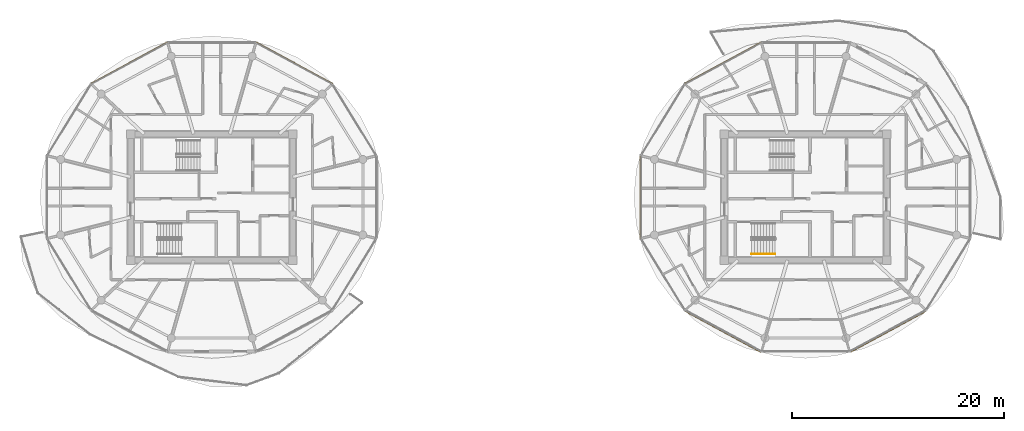
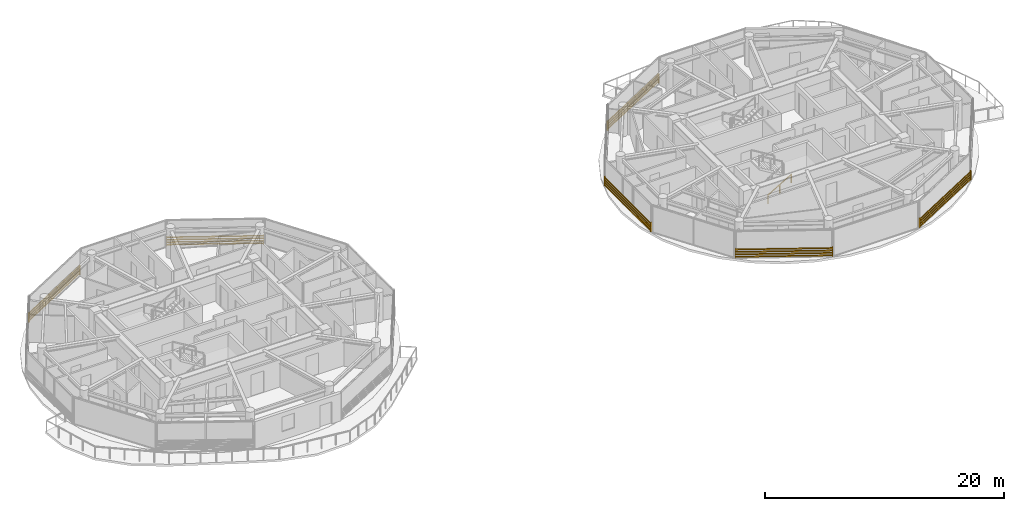
# One storey, part 18 of 19: 6 shading devices, 1 railing.
"""IFC4 building model written with IfcOpenShell, lengths in metres."""

from ifc_helpers import new_model, si_unit, direction, frame, origin, origin_2d, place, context, subcontext, project, spatial, rectangle, extrude, source, transform, mapped, material, type_object, type_shapes, element, save


model = new_model("IFC4")

# Units and contexts
model_context = context("Model", 3, precision=1e-05, world=origin(), true_north=direction((0.0, 1.0)))
body_context = subcontext(model_context, "Body", "Model", "MODEL_VIEW")
ifc_project = project(units=[si_unit("LENGTHUNIT", "METRE"), si_unit("AREAUNIT", "SQUARE_METRE"), si_unit("VOLUMEUNIT", "CUBIC_METRE"), si_unit("PLANEANGLEUNIT", "RADIAN"), si_unit("MASSUNIT", "GRAM", prefix="KILO")], contexts=[model_context])

# Site, building, storey
site_placement = place(None, origin())
site = spatial("IfcSite", under=ifc_project, at=site_placement, CompositionType="ELEMENT")
building_placement = place(site_placement, origin())
building = spatial("IfcBuilding", under=site, at=building_placement, Name="Norrkilde Senior Care Towers", CompositionType="ELEMENT")
storey_placement = place(building_placement, frame((0.0, 0.0, 235.25)))
storey = spatial("IfcBuildingStorey", under=building, at=storey_placement, Name="L73", CompositionType="ELEMENT", Elevation=235.25)

# Railing
ifc_material_1 = material(Name="Nordic Ash Timber", Category="wood")
railing_type = type_object("IfcRailingType", Name="Wall and Stair Handrail 900", PredefinedType="HANDRAIL", material=ifc_material_1)
railing_placement = place(storey_placement, frame((22.89990234375, -5.35009765625, 0.16943359375)))
element("IfcRailing", 1, at=railing_placement, inside=storey, type_object=railing_type, Name="L73 ST-E2 stair handrail 1", PredefinedType="HANDRAIL", context=body_context, shape_type="SweptSolid", body=[
    extrude(rectangle(XDim=0.048095703125, YDim=0.048095703125, at=origin_2d()), frame((0.0, 0.0, 0.8759765625), z_axis=(0.855553338991, 0.0, 0.51771467445), x_axis=(0.0, 1.0, 0.0)), (0.0, 0.0, 1.0), 2.6181640625),
    extrude(rectangle(XDim=0.0419921875, YDim=0.0419921875, at=origin_2d()), origin(), (0.0, 0.0, 1.0), 0.849853515625),
    extrude(rectangle(XDim=0.0419921875, YDim=0.0419921875, at=origin_2d()), frame((1.1201171875, 0.0, 0.677734375)), (0.0, 0.0, 1.0), 0.849853515625),
    extrude(rectangle(XDim=0.0419921875, YDim=0.0419921875, at=origin_2d()), frame((2.239990234375, 0.0, 1.35546875)), (0.0, 0.0, 1.0), 0.849853515625),
])

# Shading devices
ifc_material_2 = material(Name="Architectural Terracotta", Category="masonry")
shading_device_type = type_object("IfcShadingDeviceType", Name="Horizontal Terracotta Baguette Rack", PredefinedType="USERDEFINED", material=ifc_material_2)
shared_shape_1 = source(origin(), body_context, "Body", "SweptSolid", [
    extrude(rectangle(XDim=0.070068359375, YDim=0.110107421875, at=origin_2d()), frame((0.0, 0.090087890625, 0.125), z_axis=(1.0, 0.0, 0.0), x_axis=(0.0, 1.0, 0.0)), (0.0, 0.0, 1.0), 8.197265625),
    extrude(rectangle(XDim=0.070068359375, YDim=0.110107421875, at=origin_2d()), frame((0.0, 0.090087890625, 0.375), z_axis=(1.0, 0.0, 0.0), x_axis=(0.0, 1.0, 0.0)), (0.0, 0.0, 1.0), 8.197265625),
    extrude(rectangle(XDim=0.070068359375, YDim=0.110107421875, at=origin_2d()), frame((0.0, 0.090087890625, 0.625), z_axis=(1.0, 0.0, 0.0), x_axis=(0.0, 1.0, 0.0)), (0.0, 0.0, 1.0), 8.197265625),
    extrude(rectangle(XDim=0.070068359375, YDim=0.110107421875, at=origin_2d()), frame((0.0, 0.090087890625, 0.875), z_axis=(1.0, 0.0, 0.0), x_axis=(0.0, 1.0, 0.0)), (0.0, 0.0, 1.0), 8.197265625),
    extrude(rectangle(XDim=0.050048828125, YDim=0.1552734375, at=origin_2d()), frame((0.02490234375, 0.047607421875, 0.0)), (0.0, 0.0, 1.0), 1.0),
    extrude(rectangle(XDim=0.050048828125, YDim=0.1552734375, at=origin_2d()), frame((8.17236328125, 0.047607421875, 0.0)), (0.0, 0.0, 1.0), 1.0),
])
for number, where, z_axis, x_axis, name in (
    (2, (-23.838134765625, 14.566162109375, 0.080078125), (0.0, 0.0, 1.0), (0.879378127234, -0.476143674053, 0.0), "L73 Drum W Terracotta Baguette Screen 01"),
    (3, (-39.370361328125, 10.6630859375, 0.080078125), (0.0, 0.0, 1.0), (0.879378127234, 0.476143674053, 0.0), "L73 Drum W Terracotta Baguette Screen 03"),
    (4, (16.629638671875, 10.6630859375, 0.080078125), (0.0, 0.0, 1.0), (0.879378127234, 0.476143674053, 0.0), "L73 Drum E Terracotta Baguette Screen 03"),
    (5, (23.838134765625, -14.566162109375, 0.080078125), (0.0, 0.0, 1.0), (-0.879378127234, 0.476143674053, 0.0), "L73 Drum E Terracotta Baguette Screen 07"),
    (6, (39.370361328125, -10.6630859375, 0.080078125), (0.0, 0.0, 1.0), (-0.879378127234, -0.476143674053, 0.0), "L73 Drum E Terracotta Baguette Screen 09"),
):
    element("IfcShadingDevice", number, at=place(storey_placement, frame(where, z_axis=z_axis, x_axis=x_axis)), inside=storey, type_object=shading_device_type, Name=name, ObjectType="BAGUETTE", PredefinedType="USERDEFINED", context=body_context, shape_type="MappedRepresentation", body=[
        mapped(shared_shape_1, transform((0.0, 0.0, 0.0), x_axis=(1.0, 0.0, 0.0), y_axis=(0.0, 1.0, 0.0), z_axis=(0.0, 0.0, 1.0), scale=1.0)),
    ])
shared_shape_2 = source(origin(), body_context, "Body", "SweptSolid", [
    extrude(rectangle(XDim=0.070068359375, YDim=0.110107421875, at=origin_2d()), frame((0.0, 0.090087890625, 0.125), z_axis=(1.0, 0.0, 0.0), x_axis=(0.0, 1.0, 0.0)), (0.0, 0.0, 1.0), 7.80615234375),
    extrude(rectangle(XDim=0.070068359375, YDim=0.110107421875, at=origin_2d()), frame((0.0, 0.090087890625, 0.375), z_axis=(1.0, 0.0, 0.0), x_axis=(0.0, 1.0, 0.0)), (0.0, 0.0, 1.0), 7.80615234375),
    extrude(rectangle(XDim=0.070068359375, YDim=0.110107421875, at=origin_2d()), frame((0.0, 0.090087890625, 0.625), z_axis=(1.0, 0.0, 0.0), x_axis=(0.0, 1.0, 0.0)), (0.0, 0.0, 1.0), 7.80615234375),
    extrude(rectangle(XDim=0.070068359375, YDim=0.110107421875, at=origin_2d()), frame((0.0, 0.090087890625, 0.875), z_axis=(1.0, 0.0, 0.0), x_axis=(0.0, 1.0, 0.0)), (0.0, 0.0, 1.0), 7.80615234375),
    extrude(rectangle(XDim=0.050048828125, YDim=0.1552734375, at=origin_2d()), frame((0.02490234375, 0.047607421875, 0.0)), (0.0, 0.0, 1.0), 1.0),
    extrude(rectangle(XDim=0.050048828125, YDim=0.1552734375, at=origin_2d()), frame((7.78125, 0.047607421875, 0.0)), (0.0, 0.0, 1.0), 1.0),
])
type_shapes(shading_device_type, [shared_shape_1, shared_shape_2])
shading_device_placement = place(storey_placement, frame((12.468017578125, -3.903076171875, 0.080078125), z_axis=(0.0, 0.0, 1.0), x_axis=(0.0, 1.0, 0.0)))
element("IfcShadingDevice", 7, at=shading_device_placement, inside=storey, type_object=shading_device_type, Name="L73 Drum E Terracotta Baguette Screen 05", ObjectType="BAGUETTE", PredefinedType="USERDEFINED", context=body_context, shape_type="MappedRepresentation", body=[
    mapped(shared_shape_2, transform((0.0, 0.0, 0.0), x_axis=(1.0, 0.0, 0.0), y_axis=(0.0, 1.0, 0.0), z_axis=(0.0, 0.0, 1.0), scale=1.0)),
])

save(model, "model.ifc")
